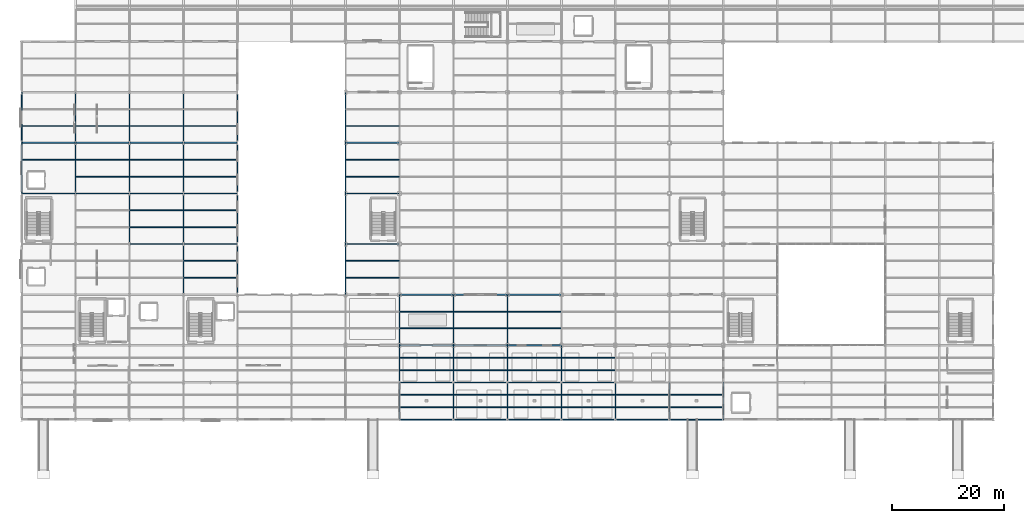
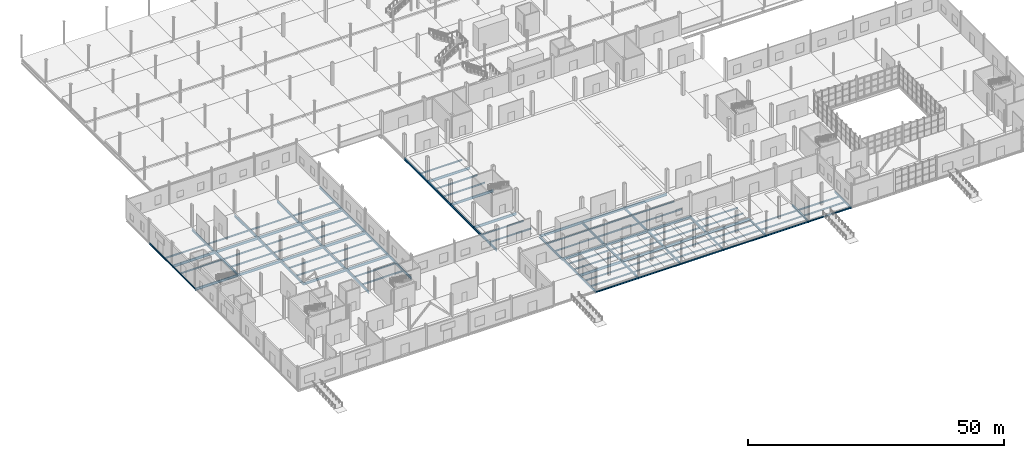
# One storey, part 27 of 85: 110 beams.
"""IFC4 building model written with IfcOpenShell, lengths in metres."""

from ifc_helpers import new_model, si_unit, direction, frame, origin, origin_2d, place, context, subcontext, project, spatial, i_section, extrude, material, material_profile, profile_set, type_object, element, save


model = new_model("IFC4")

# Units and contexts
model_context = context("Model", 3, precision=1e-05, world=origin(), true_north=direction((0.0, 1.0)))
body_context = subcontext(model_context, "Body", "Model", "MODEL_VIEW")
ifc_project = project(units=[si_unit("LENGTHUNIT", "METRE"), si_unit("AREAUNIT", "SQUARE_METRE"), si_unit("VOLUMEUNIT", "CUBIC_METRE"), si_unit("PLANEANGLEUNIT", "RADIAN"), si_unit("MASSUNIT", "GRAM", prefix="KILO")], contexts=[model_context])

# Site, building, storey
site_placement = place(None, origin())
site = spatial("IfcSite", under=ifc_project, at=site_placement, CompositionType="ELEMENT")
building_placement = place(site_placement, origin())
building = spatial("IfcBuilding", under=site, at=building_placement, Name="Zarnetskaya Central Station", CompositionType="ELEMENT")
storey_placement = place(building_placement, origin())
storey = spatial("IfcBuildingStorey", under=building, at=storey_placement, Name="L00", CompositionType="ELEMENT", Elevation=0.0)

# Beams
ifc_material = material(Name="Steel S355", Category="steel")
ifc_material_profile_1 = material_profile(ifc_material, i_section(OverallWidth=0.169921875, OverallDepth=0.360107421875, WebThickness=0.008056640625, FlangeThickness=0.0126953125, FilletRadius=0.01806640625, at=origin_2d()), Name="IPE 360")
ifc_profile_set_1 = profile_set([ifc_material_profile_1], Name="Steel S355")
beam_type_1 = type_object("IfcBeamType", Name="BM-SEC-360", PredefinedType="BEAM", material=ifc_profile_set_1)
for number, where, z_axis, x_axis, name in (
    (1, (0.080078125, 46.199951171875, -0.5), (1.0, 0.0, 0.0), (0.0, 1.0, 0.0), "Secondary floor beam SEC-L00-Z32-AB-67-2"),
    (2, (0.080078125, 52.199951171875, -0.5), (1.0, 0.0, 0.0), (0.0, 1.0, 0.0), "Secondary floor beam SEC-L00-Z32-AB-78-1"),
):
    element("IfcBeam", number, at=place(storey_placement, frame(where, z_axis=z_axis, x_axis=x_axis)), inside=storey, type_object=beam_type_1, Name=name, PredefinedType="BEAM", context=body_context, shape_type="SweptSolid", body=[
        extrude(i_section(OverallWidth=0.169921875, OverallDepth=0.360107421875, WebThickness=0.008056640625, FlangeThickness=0.0126953125, FilletRadius=0.01806640625, at=origin_2d()), origin(), (0.0, 0.0, 1.0), 9.43994140625),
    ])
for number, where, z_axis, x_axis, name in (
    (3, (9.679931640625, 43.199951171875, -0.5), (1.0, 0.0, 0.0), (0.0, 1.0, 0.0), "Secondary floor beam SEC-L00-Z32-BC-67-1"),
    (4, (9.679931640625, 46.199951171875, -0.5), (1.0, 0.0, 0.0), (0.0, 1.0, 0.0), "Secondary floor beam SEC-L00-Z32-BC-67-2"),
    (5, (9.679931640625, 52.199951171875, -0.5), (1.0, 0.0, 0.0), (0.0, 1.0, 0.0), "Secondary floor beam SEC-L00-Z32-BC-78-1"),
):
    element("IfcBeam", number, at=place(storey_placement, frame(where, z_axis=z_axis, x_axis=x_axis)), inside=storey, type_object=beam_type_1, Name=name, PredefinedType="BEAM", context=body_context, shape_type="SweptSolid", body=[
        extrude(i_section(OverallWidth=0.169921875, OverallDepth=0.360107421875, WebThickness=0.008056640625, FlangeThickness=0.0126953125, FilletRadius=0.01806640625, at=origin_2d()), origin(), (0.0, 0.0, 1.0), 9.440185546875),
    ])
for number, where, z_axis, x_axis, name in (
    (6, (19.280029296875, 34.199951171875, -0.5), (1.0, 0.0, 0.0), (0.0, 1.0, 0.0), "Secondary floor beam SEC-L00-Z32-CD-56-1"),
    (7, (19.280029296875, 37.199951171875, -0.5), (1.0, 0.0, 0.0), (0.0, 1.0, 0.0), "Secondary floor beam SEC-L00-Z32-CD-56-2"),
    (8, (19.280029296875, 43.199951171875, -0.5), (1.0, 0.0, 0.0), (0.0, 1.0, 0.0), "Secondary floor beam SEC-L00-Z32-CD-67-1"),
    (9, (19.280029296875, 46.199951171875, -0.5), (1.0, 0.0, 0.0), (0.0, 1.0, 0.0), "Secondary floor beam SEC-L00-Z32-CD-67-2"),
    (10, (19.280029296875, 52.199951171875, -0.5), (1.0, 0.0, 0.0), (0.0, 1.0, 0.0), "Secondary floor beam SEC-L00-Z32-CD-78-1"),
):
    element("IfcBeam", number, at=place(storey_placement, frame(where, z_axis=z_axis, x_axis=x_axis)), inside=storey, type_object=beam_type_1, Name=name, PredefinedType="BEAM", context=body_context, shape_type="SweptSolid", body=[
        extrude(i_section(OverallWidth=0.169921875, OverallDepth=0.360107421875, WebThickness=0.008056640625, FlangeThickness=0.0126953125, FilletRadius=0.01806640625, at=origin_2d()), origin(), (0.0, 0.0, 1.0), 9.43994140625),
    ])
for number, where, z_axis, x_axis, name in (
    (11, (28.8798828125, 25.199951171875, -0.5), (1.0, 0.0, 0.0), (0.0, 1.0, 0.0), "Secondary floor beam SEC-L00-Z32-DE-45-1"),
    (12, (28.8798828125, 28.199951171875, -0.5), (1.0, 0.0, 0.0), (0.0, 1.0, 0.0), "Secondary floor beam SEC-L00-Z32-DE-45-2"),
    (13, (28.8798828125, 34.199951171875, -0.5), (1.0, 0.0, 0.0), (0.0, 1.0, 0.0), "Secondary floor beam SEC-L00-Z32-DE-56-1"),
    (14, (28.8798828125, 37.199951171875, -0.5), (1.0, 0.0, 0.0), (0.0, 1.0, 0.0), "Secondary floor beam SEC-L00-Z32-DE-56-2"),
    (15, (28.8798828125, 43.199951171875, -0.5), (1.0, 0.0, 0.0), (0.0, 1.0, 0.0), "Secondary floor beam SEC-L00-Z32-DE-67-1"),
    (16, (28.8798828125, 46.199951171875, -0.5), (1.0, 0.0, 0.0), (0.0, 1.0, 0.0), "Secondary floor beam SEC-L00-Z32-DE-67-2"),
    (17, (28.8798828125, 52.199951171875, -0.5), (1.0, 0.0, 0.0), (0.0, 1.0, 0.0), "Secondary floor beam SEC-L00-Z32-DE-78-1"),
    (18, (57.679931640625, 25.199951171875, -0.5), (1.0, 0.0, 0.0), (0.0, 1.0, 0.0), "Secondary floor beam SEC-L00-Z32-GH-45-1"),
    (19, (57.679931640625, 28.199951171875, -0.5), (1.0, 0.0, 0.0), (0.0, 1.0, 0.0), "Secondary floor beam SEC-L00-Z32-GH-45-2"),
    (20, (57.679931640625, 43.199951171875, -0.5), (1.0, 0.0, 0.0), (0.0, 1.0, 0.0), "Secondary floor beam SEC-L00-Z32-GH-67-1"),
    (21, (57.679931640625, 46.199951171875, -0.5), (1.0, 0.0, 0.0), (0.0, 1.0, 0.0), "Secondary floor beam SEC-L00-Z32-GH-67-2"),
    (22, (57.679931640625, 52.199951171875, -0.5), (1.0, 0.0, 0.0), (0.0, 1.0, 0.0), "Secondary floor beam SEC-L00-Z32-GH-78-1"),
):
    element("IfcBeam", number, at=place(storey_placement, frame(where, z_axis=z_axis, x_axis=x_axis)), inside=storey, type_object=beam_type_1, Name=name, PredefinedType="BEAM", context=body_context, shape_type="SweptSolid", body=[
        extrude(i_section(OverallWidth=0.169921875, OverallDepth=0.360107421875, WebThickness=0.008056640625, FlangeThickness=0.0126953125, FilletRadius=0.01806640625, at=origin_2d()), origin(), (0.0, 0.0, 1.0), 9.440185546875),
    ])
for number, where, z_axis, x_axis, name in (
    (23, (67.280029296875, 16.199951171875, -0.5), (1.0, 0.0, 0.0), (0.0, 1.0, 0.0), "Secondary floor beam SEC-L00-Z32-HJ-34-1"),
    (24, (67.280029296875, 19.199951171875, -0.5), (1.0, 0.0, 0.0), (0.0, 1.0, 0.0), "Secondary floor beam SEC-L00-Z32-HJ-34-2"),
):
    element("IfcBeam", number, at=place(storey_placement, frame(where, z_axis=z_axis, x_axis=x_axis)), inside=storey, type_object=beam_type_1, Name=name, PredefinedType="BEAM", context=body_context, shape_type="SweptSolid", body=[
        extrude(i_section(OverallWidth=0.169921875, OverallDepth=0.360107421875, WebThickness=0.008056640625, FlangeThickness=0.0126953125, FilletRadius=0.01806640625, at=origin_2d()), origin(), (0.0, 0.0, 1.0), 9.43994140625),
    ])
for number, where, z_axis, x_axis, name in (
    (25, (76.8798828125, 16.199951171875, -0.5), (1.0, 0.0, 0.0), (0.0, 1.0, 0.0), "Secondary floor beam SEC-L00-Z32-JK-34-1"),
    (26, (76.8798828125, 19.199951171875, -0.5), (1.0, 0.0, 0.0), (0.0, 1.0, 0.0), "Secondary floor beam SEC-L00-Z32-JK-34-2"),
):
    element("IfcBeam", number, at=place(storey_placement, frame(where, z_axis=z_axis, x_axis=x_axis)), inside=storey, type_object=beam_type_1, Name=name, PredefinedType="BEAM", context=body_context, shape_type="SweptSolid", body=[
        extrude(i_section(OverallWidth=0.169921875, OverallDepth=0.360107421875, WebThickness=0.008056640625, FlangeThickness=0.0126953125, FilletRadius=0.01806640625, at=origin_2d()), origin(), (0.0, 0.0, 1.0), 9.440185546875),
    ])
for number, where, z_axis, x_axis, name in (
    (27, (86.47998046875, 16.199951171875, -0.5), (1.0, 0.0, 0.0), (0.0, 1.0, 0.0), "Secondary floor beam SEC-L00-Z32-KL-34-1"),
    (28, (86.47998046875, 19.199951171875, -0.5), (1.0, 0.0, 0.0), (0.0, 1.0, 0.0), "Secondary floor beam SEC-L00-Z32-KL-34-2"),
    (29, (67.280029296875, 2.199951171875, -0.39990234375), (1.0, 0.0, 0.0), (0.0, 1.0, 0.0), "Secondary floor beam SEC-L00-Z22-HJ-12-1"),
    (30, (67.280029296875, 4.39990234375, -0.39990234375), (1.0, 0.0, 0.0), (0.0, 1.0, 0.0), "Secondary floor beam SEC-L00-Z22-HJ-12-2"),
    (31, (67.280029296875, 8.800048828125, -0.39990234375), (1.0, 0.0, 0.0), (0.0, 1.0, 0.0), "Secondary floor beam SEC-L00-Z22-HJ-23-1"),
    (32, (67.280029296875, 11.0, -0.39990234375), (1.0, 0.0, 0.0), (0.0, 1.0, 0.0), "Secondary floor beam SEC-L00-Z22-HJ-23-2"),
):
    element("IfcBeam", number, at=place(storey_placement, frame(where, z_axis=z_axis, x_axis=x_axis)), inside=storey, type_object=beam_type_1, Name=name, PredefinedType="BEAM", context=body_context, shape_type="SweptSolid", body=[
        extrude(i_section(OverallWidth=0.169921875, OverallDepth=0.360107421875, WebThickness=0.008056640625, FlangeThickness=0.0126953125, FilletRadius=0.01806640625, at=origin_2d()), origin(), (0.0, 0.0, 1.0), 9.43994140625),
    ])
for number, where, z_axis, x_axis, name in (
    (33, (76.8798828125, 2.199951171875, -0.39990234375), (1.0, 0.0, 0.0), (0.0, 1.0, 0.0), "Secondary floor beam SEC-L00-Z22-JK-12-1"),
    (34, (76.8798828125, 4.39990234375, -0.39990234375), (1.0, 0.0, 0.0), (0.0, 1.0, 0.0), "Secondary floor beam SEC-L00-Z22-JK-12-2"),
    (35, (76.8798828125, 8.800048828125, -0.39990234375), (1.0, 0.0, 0.0), (0.0, 1.0, 0.0), "Secondary floor beam SEC-L00-Z22-JK-23-1"),
    (36, (76.8798828125, 11.0, -0.39990234375), (1.0, 0.0, 0.0), (0.0, 1.0, 0.0), "Secondary floor beam SEC-L00-Z22-JK-23-2"),
):
    element("IfcBeam", number, at=place(storey_placement, frame(where, z_axis=z_axis, x_axis=x_axis)), inside=storey, type_object=beam_type_1, Name=name, PredefinedType="BEAM", context=body_context, shape_type="SweptSolid", body=[
        extrude(i_section(OverallWidth=0.169921875, OverallDepth=0.360107421875, WebThickness=0.008056640625, FlangeThickness=0.0126953125, FilletRadius=0.01806640625, at=origin_2d()), origin(), (0.0, 0.0, 1.0), 9.440185546875),
    ])
for number, where, z_axis, x_axis, name in (
    (37, (86.47998046875, 2.199951171875, -0.39990234375), (1.0, 0.0, 0.0), (0.0, 1.0, 0.0), "Secondary floor beam SEC-L00-Z22-KL-12-1"),
    (38, (86.47998046875, 4.39990234375, -0.39990234375), (1.0, 0.0, 0.0), (0.0, 1.0, 0.0), "Secondary floor beam SEC-L00-Z22-KL-12-2"),
    (39, (86.47998046875, 8.800048828125, -0.39990234375), (1.0, 0.0, 0.0), (0.0, 1.0, 0.0), "Secondary floor beam SEC-L00-Z22-KL-23-1"),
    (40, (86.47998046875, 11.0, -0.39990234375), (1.0, 0.0, 0.0), (0.0, 1.0, 0.0), "Secondary floor beam SEC-L00-Z22-KL-23-2"),
    (41, (96.080078125, 2.199951171875, -0.39990234375), (1.0, 0.0, 0.0), (0.0, 1.0, 0.0), "Secondary floor beam SEC-L00-Z22-LM-12-1"),
    (42, (96.080078125, 4.39990234375, -0.39990234375), (1.0, 0.0, 0.0), (0.0, 1.0, 0.0), "Secondary floor beam SEC-L00-Z22-LM-12-2"),
    (43, (96.080078125, 8.800048828125, -0.39990234375), (1.0, 0.0, 0.0), (0.0, 1.0, 0.0), "Secondary floor beam SEC-L00-Z22-LM-23-1"),
    (44, (96.080078125, 11.0, -0.39990234375), (1.0, 0.0, 0.0), (0.0, 1.0, 0.0), "Secondary floor beam SEC-L00-Z22-LM-23-2"),
):
    element("IfcBeam", number, at=place(storey_placement, frame(where, z_axis=z_axis, x_axis=x_axis)), inside=storey, type_object=beam_type_1, Name=name, PredefinedType="BEAM", context=body_context, shape_type="SweptSolid", body=[
        extrude(i_section(OverallWidth=0.169921875, OverallDepth=0.360107421875, WebThickness=0.008056640625, FlangeThickness=0.0126953125, FilletRadius=0.01806640625, at=origin_2d()), origin(), (0.0, 0.0, 1.0), 9.43994140625),
    ])
for number, where, z_axis, x_axis, name in (
    (45, (105.679931640625, 2.199951171875, -0.39990234375), (1.0, 0.0, 0.0), (0.0, 1.0, 0.0), "Secondary floor beam SEC-L00-Z22-MN-12-1"),
    (46, (105.679931640625, 4.39990234375, -0.39990234375), (1.0, 0.0, 0.0), (0.0, 1.0, 0.0), "Secondary floor beam SEC-L00-Z22-MN-12-2"),
):
    element("IfcBeam", number, at=place(storey_placement, frame(where, z_axis=z_axis, x_axis=x_axis)), inside=storey, type_object=beam_type_1, Name=name, PredefinedType="BEAM", context=body_context, shape_type="SweptSolid", body=[
        extrude(i_section(OverallWidth=0.169921875, OverallDepth=0.360107421875, WebThickness=0.008056640625, FlangeThickness=0.0126953125, FilletRadius=0.01806640625, at=origin_2d()), origin(), (0.0, 0.0, 1.0), 9.440185546875),
    ])
for number, where, z_axis, x_axis, name in (
    (47, (115.280029296875, 2.199951171875, -0.39990234375), (1.0, 0.0, 0.0), (0.0, 1.0, 0.0), "Secondary floor beam SEC-L00-Z22-NP-12-1"),
    (48, (115.280029296875, 4.39990234375, -0.39990234375), (1.0, 0.0, 0.0), (0.0, 1.0, 0.0), "Secondary floor beam SEC-L00-Z22-NP-12-2"),
):
    element("IfcBeam", number, at=place(storey_placement, frame(where, z_axis=z_axis, x_axis=x_axis)), inside=storey, type_object=beam_type_1, Name=name, PredefinedType="BEAM", context=body_context, shape_type="SweptSolid", body=[
        extrude(i_section(OverallWidth=0.169921875, OverallDepth=0.360107421875, WebThickness=0.008056640625, FlangeThickness=0.0126953125, FilletRadius=0.01806640625, at=origin_2d()), origin(), (0.0, 0.0, 1.0), 9.43994140625),
    ])
ifc_material_profile_2 = material_profile(ifc_material, i_section(OverallWidth=0.169921875, OverallDepth=0.360107421875, WebThickness=0.008056640625, FlangeThickness=0.0126953125, FilletRadius=0.01806640625, at=origin_2d()), Name="IPE 360")
ifc_profile_set_2 = profile_set([ifc_material_profile_2], Name="Steel S355")
beam_type_2 = type_object("IfcBeamType", Name="BM-SPN-V4", PredefinedType="SPANDREL", material=ifc_profile_set_2)
beam_1_placement = place(storey_placement, frame((67.199951171875, 0.0, -0.39990234375), z_axis=(1.0, 0.0, 0.0), x_axis=(0.0, 1.0, 0.0)))
element("IfcBeam", 49, at=beam_1_placement, inside=storey, type_object=beam_type_2, Name="Grid girder GX-L00-1-HJ", PredefinedType="SPANDREL", context=body_context, shape_type="SweptSolid", body=[
    extrude(i_section(OverallWidth=0.169921875, OverallDepth=0.360107421875, WebThickness=0.008056640625, FlangeThickness=0.0126953125, FilletRadius=0.01806640625, at=origin_2d()), origin(), (0.0, 0.0, 1.0), 9.60009765625),
])
beam_2_placement = place(storey_placement, frame((76.800048828125, 0.0, -0.39990234375), z_axis=(1.0, 0.0, 0.0), x_axis=(0.0, 1.0, 0.0)))
element("IfcBeam", 50, at=beam_2_placement, inside=storey, type_object=beam_type_2, Name="Grid girder GX-L00-1-JK", PredefinedType="SPANDREL", context=body_context, shape_type="SweptSolid", body=[
    extrude(i_section(OverallWidth=0.169921875, OverallDepth=0.360107421875, WebThickness=0.008056640625, FlangeThickness=0.0126953125, FilletRadius=0.01806640625, at=origin_2d()), origin(), (0.0, 0.0, 1.0), 9.599853515625),
])
for number, where, z_axis, x_axis, name in (
    (51, (86.39990234375, 0.0, -0.39990234375), (1.0, 0.0, 0.0), (0.0, 1.0, 0.0), "Grid girder GX-L00-1-KL"),
    (52, (96.0, 0.0, -0.39990234375), (1.0, 0.0, 0.0), (0.0, 1.0, 0.0), "Grid girder GX-L00-1-LM"),
):
    element("IfcBeam", number, at=place(storey_placement, frame(where, z_axis=z_axis, x_axis=x_axis)), inside=storey, type_object=beam_type_2, Name=name, PredefinedType="SPANDREL", context=body_context, shape_type="SweptSolid", body=[
        extrude(i_section(OverallWidth=0.169921875, OverallDepth=0.360107421875, WebThickness=0.008056640625, FlangeThickness=0.0126953125, FilletRadius=0.01806640625, at=origin_2d()), origin(), (0.0, 0.0, 1.0), 9.60009765625),
    ])
beam_3_placement = place(storey_placement, frame((105.60009765625, 0.0, -0.39990234375), z_axis=(1.0, 0.0, 0.0), x_axis=(0.0, 1.0, 0.0)))
element("IfcBeam", 53, at=beam_3_placement, inside=storey, type_object=beam_type_2, Name="Grid girder GX-L00-1-MN", PredefinedType="SPANDREL", context=body_context, shape_type="SweptSolid", body=[
    extrude(i_section(OverallWidth=0.169921875, OverallDepth=0.360107421875, WebThickness=0.008056640625, FlangeThickness=0.0126953125, FilletRadius=0.01806640625, at=origin_2d()), origin(), (0.0, 0.0, 1.0), 9.599853515625),
])
beam_4_placement = place(storey_placement, frame((115.199951171875, 0.0, -0.39990234375), z_axis=(1.0, 0.0, 0.0), x_axis=(0.0, 1.0, 0.0)))
element("IfcBeam", 54, at=beam_4_placement, inside=storey, type_object=beam_type_2, Name="Grid girder GX-L00-1-NP", PredefinedType="SPANDREL", context=body_context, shape_type="SweptSolid", body=[
    extrude(i_section(OverallWidth=0.169921875, OverallDepth=0.360107421875, WebThickness=0.008056640625, FlangeThickness=0.0126953125, FilletRadius=0.01806640625, at=origin_2d()), origin(), (0.0, 0.0, 1.0), 9.60009765625),
])
ifc_material_profile_3 = material_profile(ifc_material, i_section(OverallWidth=0.179931640625, OverallDepth=0.39990234375, WebThickness=0.008544921875, FlangeThickness=0.013427734375, FilletRadius=0.02099609375, at=origin_2d()), Name="IPE 400")
ifc_profile_set_3 = profile_set([ifc_material_profile_3], Name="Steel S355")
beam_type_3 = type_object("IfcBeamType", Name="BM-SPN-V5", PredefinedType="SPANDREL", material=ifc_profile_set_3)
for number, where, z_axis, x_axis, name in (
    (55, (0.0, 40.199951171875, -0.52001953125), (0.0, 1.0, 0.0), (-1.0, 0.0, 0.0), "Grid girder GY-L00-A-67"),
    (56, (0.0, 49.199951171875, -0.52001953125), (0.0, 1.0, 0.0), (-1.0, 0.0, 0.0), "Grid girder GY-L00-A-78"),
):
    element("IfcBeam", number, at=place(storey_placement, frame(where, z_axis=z_axis, x_axis=x_axis)), inside=storey, type_object=beam_type_3, Name=name, PredefinedType="SPANDREL", context=body_context, shape_type="SweptSolid", body=[
        extrude(i_section(OverallWidth=0.179931640625, OverallDepth=0.39990234375, WebThickness=0.008544921875, FlangeThickness=0.013427734375, FilletRadius=0.02099609375, at=origin_2d()), origin(), (0.0, 0.0, 1.0), 9.0),
    ])
ifc_material_profile_4 = material_profile(ifc_material, i_section(OverallWidth=0.199951171875, OverallDepth=0.5, WebThickness=0.01025390625, FlangeThickness=0.01611328125, FilletRadius=0.02099609375, at=origin_2d()), Name="IPE 500")
ifc_profile_set_4 = profile_set([ifc_material_profile_4], Name="Steel S355")
beam_type_4 = type_object("IfcBeamType", Name="GD-FLR-500", PredefinedType="USERDEFINED", material=ifc_profile_set_4)
beam_5_placement = place(storey_placement, frame((67.199951171875, 0.0, -0.469970703125), z_axis=(0.0, 1.0, 0.0), x_axis=(-1.0, 0.0, 0.0)))
element("IfcBeam", 57, at=beam_5_placement, inside=storey, type_object=beam_type_4, Name="Grid girder GY-L00-H-12", ObjectType="GIRDER", PredefinedType="USERDEFINED", context=body_context, shape_type="SweptSolid", body=[
    extrude(i_section(OverallWidth=0.199951171875, OverallDepth=0.5, WebThickness=0.01025390625, FlangeThickness=0.01611328125, FilletRadius=0.02099609375, at=origin_2d()), origin(), (0.0, 0.0, 1.0), 6.60009765625),
])
beam_6_placement = place(storey_placement, frame((67.199951171875, 6.60009765625, -0.469970703125), z_axis=(0.0, 1.0, 0.0), x_axis=(-1.0, 0.0, 0.0)))
element("IfcBeam", 58, at=beam_6_placement, inside=storey, type_object=beam_type_4, Name="Grid girder GY-L00-H-23", ObjectType="GIRDER", PredefinedType="USERDEFINED", context=body_context, shape_type="SweptSolid", body=[
    extrude(i_section(OverallWidth=0.199951171875, OverallDepth=0.5, WebThickness=0.01025390625, FlangeThickness=0.01611328125, FilletRadius=0.02099609375, at=origin_2d()), origin(), (0.0, 0.0, 1.0), 6.599853515625),
])
beam_7_placement = place(storey_placement, frame((76.800048828125, 0.0, -0.469970703125), z_axis=(0.0, 1.0, 0.0), x_axis=(-1.0, 0.0, 0.0)))
element("IfcBeam", 59, at=beam_7_placement, inside=storey, type_object=beam_type_4, Name="Grid girder GY-L00-J-12", ObjectType="GIRDER", PredefinedType="USERDEFINED", context=body_context, shape_type="SweptSolid", body=[
    extrude(i_section(OverallWidth=0.199951171875, OverallDepth=0.5, WebThickness=0.01025390625, FlangeThickness=0.01611328125, FilletRadius=0.02099609375, at=origin_2d()), origin(), (0.0, 0.0, 1.0), 6.60009765625),
])
beam_8_placement = place(storey_placement, frame((76.800048828125, 6.60009765625, -0.469970703125), z_axis=(0.0, 1.0, 0.0), x_axis=(-1.0, 0.0, 0.0)))
element("IfcBeam", 60, at=beam_8_placement, inside=storey, type_object=beam_type_4, Name="Grid girder GY-L00-J-23", ObjectType="GIRDER", PredefinedType="USERDEFINED", context=body_context, shape_type="SweptSolid", body=[
    extrude(i_section(OverallWidth=0.199951171875, OverallDepth=0.5, WebThickness=0.01025390625, FlangeThickness=0.01611328125, FilletRadius=0.02099609375, at=origin_2d()), origin(), (0.0, 0.0, 1.0), 6.599853515625),
])
beam_9_placement = place(storey_placement, frame((86.39990234375, 0.0, -0.469970703125), z_axis=(0.0, 1.0, 0.0), x_axis=(-1.0, 0.0, 0.0)))
element("IfcBeam", 61, at=beam_9_placement, inside=storey, type_object=beam_type_4, Name="Grid girder GY-L00-K-12", ObjectType="GIRDER", PredefinedType="USERDEFINED", context=body_context, shape_type="SweptSolid", body=[
    extrude(i_section(OverallWidth=0.199951171875, OverallDepth=0.5, WebThickness=0.01025390625, FlangeThickness=0.01611328125, FilletRadius=0.02099609375, at=origin_2d()), origin(), (0.0, 0.0, 1.0), 6.60009765625),
])
beam_10_placement = place(storey_placement, frame((86.39990234375, 6.60009765625, -0.469970703125), z_axis=(0.0, 1.0, 0.0), x_axis=(-1.0, 0.0, 0.0)))
element("IfcBeam", 62, at=beam_10_placement, inside=storey, type_object=beam_type_4, Name="Grid girder GY-L00-K-23", ObjectType="GIRDER", PredefinedType="USERDEFINED", context=body_context, shape_type="SweptSolid", body=[
    extrude(i_section(OverallWidth=0.199951171875, OverallDepth=0.5, WebThickness=0.01025390625, FlangeThickness=0.01611328125, FilletRadius=0.02099609375, at=origin_2d()), origin(), (0.0, 0.0, 1.0), 6.599853515625),
])
beam_11_placement = place(storey_placement, frame((96.0, 0.0, -0.469970703125), z_axis=(0.0, 1.0, 0.0), x_axis=(-1.0, 0.0, 0.0)))
element("IfcBeam", 63, at=beam_11_placement, inside=storey, type_object=beam_type_4, Name="Grid girder GY-L00-L-12", ObjectType="GIRDER", PredefinedType="USERDEFINED", context=body_context, shape_type="SweptSolid", body=[
    extrude(i_section(OverallWidth=0.199951171875, OverallDepth=0.5, WebThickness=0.01025390625, FlangeThickness=0.01611328125, FilletRadius=0.02099609375, at=origin_2d()), origin(), (0.0, 0.0, 1.0), 6.60009765625),
])
beam_12_placement = place(storey_placement, frame((96.0, 6.60009765625, -0.469970703125), z_axis=(0.0, 1.0, 0.0), x_axis=(-1.0, 0.0, 0.0)))
element("IfcBeam", 64, at=beam_12_placement, inside=storey, type_object=beam_type_4, Name="Grid girder GY-L00-L-23", ObjectType="GIRDER", PredefinedType="USERDEFINED", context=body_context, shape_type="SweptSolid", body=[
    extrude(i_section(OverallWidth=0.199951171875, OverallDepth=0.5, WebThickness=0.01025390625, FlangeThickness=0.01611328125, FilletRadius=0.02099609375, at=origin_2d()), origin(), (0.0, 0.0, 1.0), 6.599853515625),
])
for number, where, z_axis, x_axis, name in (
    (65, (105.60009765625, 0.0, -0.469970703125), (0.0, 1.0, 0.0), (-1.0, 0.0, 0.0), "Grid girder GY-L00-M-12"),
    (66, (115.199951171875, 0.0, -0.469970703125), (0.0, 1.0, 0.0), (-1.0, 0.0, 0.0), "Grid girder GY-L00-N-12"),
    (67, (124.800048828125, 0.0, -0.570068359375), (0.0, 1.0, 0.0), (-1.0, 0.0, 0.0), "Grid girder GY-L00-P-12"),
):
    element("IfcBeam", number, at=place(storey_placement, frame(where, z_axis=z_axis, x_axis=x_axis)), inside=storey, type_object=beam_type_4, Name=name, ObjectType="GIRDER", PredefinedType="USERDEFINED", context=body_context, shape_type="SweptSolid", body=[
        extrude(i_section(OverallWidth=0.199951171875, OverallDepth=0.5, WebThickness=0.01025390625, FlangeThickness=0.01611328125, FilletRadius=0.02099609375, at=origin_2d()), origin(), (0.0, 0.0, 1.0), 6.60009765625),
    ])
ifc_material_profile_5 = material_profile(ifc_material, i_section(OverallWidth=0.2099609375, OverallDepth=0.550048828125, WebThickness=0.010986328125, FlangeThickness=0.01708984375, FilletRadius=0.02392578125, at=origin_2d()), Name="IPE 550")
ifc_profile_set_5 = profile_set([ifc_material_profile_5], Name="Steel S355")
beam_type_5 = type_object("IfcBeamType", Name="GD-FLR-550", PredefinedType="USERDEFINED", material=ifc_profile_set_5)
for number, where, z_axis, x_axis, name in (
    (68, (9.60009765625, 40.199951171875, -0.594970703125), (0.0, 1.0, 0.0), (-1.0, 0.0, 0.0), "Grid girder GY-L00-B-67"),
    (69, (9.60009765625, 49.199951171875, -0.594970703125), (0.0, 1.0, 0.0), (-1.0, 0.0, 0.0), "Grid girder GY-L00-B-78"),
    (70, (19.199951171875, 31.199951171875, -0.594970703125), (0.0, 1.0, 0.0), (-1.0, 0.0, 0.0), "Grid girder GY-L00-C-56"),
    (71, (19.199951171875, 40.199951171875, -0.594970703125), (0.0, 1.0, 0.0), (-1.0, 0.0, 0.0), "Grid girder GY-L00-C-67"),
    (72, (19.199951171875, 49.199951171875, -0.594970703125), (0.0, 1.0, 0.0), (-1.0, 0.0, 0.0), "Grid girder GY-L00-C-78"),
    (73, (28.800048828125, 22.199951171875, -0.594970703125), (0.0, 1.0, 0.0), (-1.0, 0.0, 0.0), "Grid girder GY-L00-D-45"),
    (74, (28.800048828125, 31.199951171875, -0.594970703125), (0.0, 1.0, 0.0), (-1.0, 0.0, 0.0), "Grid girder GY-L00-D-56"),
    (75, (28.800048828125, 40.199951171875, -0.594970703125), (0.0, 1.0, 0.0), (-1.0, 0.0, 0.0), "Grid girder GY-L00-D-67"),
    (76, (28.800048828125, 49.199951171875, -0.594970703125), (0.0, 1.0, 0.0), (-1.0, 0.0, 0.0), "Grid girder GY-L00-D-78"),
    (77, (38.39990234375, 22.199951171875, -0.594970703125), (0.0, 1.0, 0.0), (-1.0, 0.0, 0.0), "Grid girder GY-L00-E-45"),
    (78, (38.39990234375, 31.199951171875, -0.594970703125), (0.0, 1.0, 0.0), (-1.0, 0.0, 0.0), "Grid girder GY-L00-E-56"),
    (79, (38.39990234375, 40.199951171875, -0.594970703125), (0.0, 1.0, 0.0), (-1.0, 0.0, 0.0), "Grid girder GY-L00-E-67"),
    (80, (38.39990234375, 49.199951171875, -0.594970703125), (0.0, 1.0, 0.0), (-1.0, 0.0, 0.0), "Grid girder GY-L00-E-78"),
    (81, (57.60009765625, 22.199951171875, -0.594970703125), (0.0, 1.0, 0.0), (-1.0, 0.0, 0.0), "Grid girder GY-L00-G-45"),
    (82, (57.60009765625, 31.199951171875, -0.594970703125), (0.0, 1.0, 0.0), (-1.0, 0.0, 0.0), "Grid girder GY-L00-G-56"),
    (83, (57.60009765625, 40.199951171875, -0.594970703125), (0.0, 1.0, 0.0), (-1.0, 0.0, 0.0), "Grid girder GY-L00-G-67"),
    (84, (57.60009765625, 49.199951171875, -0.594970703125), (0.0, 1.0, 0.0), (-1.0, 0.0, 0.0), "Grid girder GY-L00-G-78"),
    (85, (67.199951171875, 13.199951171875, -0.594970703125), (0.0, 1.0, 0.0), (-1.0, 0.0, 0.0), "Grid girder GY-L00-H-34"),
    (86, (76.800048828125, 13.199951171875, -0.594970703125), (0.0, 1.0, 0.0), (-1.0, 0.0, 0.0), "Grid girder GY-L00-J-34"),
    (87, (86.39990234375, 13.199951171875, -0.594970703125), (0.0, 1.0, 0.0), (-1.0, 0.0, 0.0), "Grid girder GY-L00-K-34"),
):
    element("IfcBeam", number, at=place(storey_placement, frame(where, z_axis=z_axis, x_axis=x_axis)), inside=storey, type_object=beam_type_5, Name=name, ObjectType="GIRDER", PredefinedType="USERDEFINED", context=body_context, shape_type="SweptSolid", body=[
        extrude(i_section(OverallWidth=0.2099609375, OverallDepth=0.550048828125, WebThickness=0.010986328125, FlangeThickness=0.01708984375, FilletRadius=0.02392578125, at=origin_2d()), origin(), (0.0, 0.0, 1.0), 9.0),
    ])
ifc_material_profile_6 = material_profile(ifc_material, i_section(OverallWidth=0.219970703125, OverallDepth=0.60009765625, WebThickness=0.011962890625, FlangeThickness=0.01904296875, FilletRadius=0.02392578125, at=origin_2d()), Name="IPE 600")
ifc_profile_set_6 = profile_set([ifc_material_profile_6], Name="Steel S355")
beam_type_6 = type_object("IfcBeamType", Name="GD-FLR-600", PredefinedType="USERDEFINED", material=ifc_profile_set_6)
for number, where, z_axis, x_axis, name in (
    (88, (0.0, 40.199951171875, -0.6201171875), (1.0, 0.0, 0.0), (0.0, 1.0, 0.0), "Grid girder GX-L00-6-AB"),
    (89, (0.0, 49.199951171875, -0.6201171875), (1.0, 0.0, 0.0), (0.0, 1.0, 0.0), "Grid girder GX-L00-7-AB"),
):
    element("IfcBeam", number, at=place(storey_placement, frame(where, z_axis=z_axis, x_axis=x_axis)), inside=storey, type_object=beam_type_6, Name=name, ObjectType="GIRDER", PredefinedType="USERDEFINED", context=body_context, shape_type="SweptSolid", body=[
        extrude(i_section(OverallWidth=0.219970703125, OverallDepth=0.60009765625, WebThickness=0.011962890625, FlangeThickness=0.01904296875, FilletRadius=0.02392578125, at=origin_2d()), origin(), (0.0, 0.0, 1.0), 9.60009765625),
    ])
for number, where, z_axis, x_axis, name in (
    (90, (9.60009765625, 40.199951171875, -0.6201171875), (1.0, 0.0, 0.0), (0.0, 1.0, 0.0), "Grid girder GX-L00-6-BC"),
    (91, (9.60009765625, 49.199951171875, -0.6201171875), (1.0, 0.0, 0.0), (0.0, 1.0, 0.0), "Grid girder GX-L00-7-BC"),
):
    element("IfcBeam", number, at=place(storey_placement, frame(where, z_axis=z_axis, x_axis=x_axis)), inside=storey, type_object=beam_type_6, Name=name, ObjectType="GIRDER", PredefinedType="USERDEFINED", context=body_context, shape_type="SweptSolid", body=[
        extrude(i_section(OverallWidth=0.219970703125, OverallDepth=0.60009765625, WebThickness=0.011962890625, FlangeThickness=0.01904296875, FilletRadius=0.02392578125, at=origin_2d()), origin(), (0.0, 0.0, 1.0), 9.599853515625),
    ])
for number, where, z_axis, x_axis, name in (
    (92, (19.199951171875, 31.199951171875, -0.6201171875), (1.0, 0.0, 0.0), (0.0, 1.0, 0.0), "Grid girder GX-L00-5-CD"),
    (93, (19.199951171875, 40.199951171875, -0.6201171875), (1.0, 0.0, 0.0), (0.0, 1.0, 0.0), "Grid girder GX-L00-6-CD"),
    (94, (19.199951171875, 49.199951171875, -0.6201171875), (1.0, 0.0, 0.0), (0.0, 1.0, 0.0), "Grid girder GX-L00-7-CD"),
):
    element("IfcBeam", number, at=place(storey_placement, frame(where, z_axis=z_axis, x_axis=x_axis)), inside=storey, type_object=beam_type_6, Name=name, ObjectType="GIRDER", PredefinedType="USERDEFINED", context=body_context, shape_type="SweptSolid", body=[
        extrude(i_section(OverallWidth=0.219970703125, OverallDepth=0.60009765625, WebThickness=0.011962890625, FlangeThickness=0.01904296875, FilletRadius=0.02392578125, at=origin_2d()), origin(), (0.0, 0.0, 1.0), 9.60009765625),
    ])
for number, where, z_axis, x_axis, name in (
    (95, (28.800048828125, 31.199951171875, -0.6201171875), (1.0, 0.0, 0.0), (0.0, 1.0, 0.0), "Grid girder GX-L00-5-DE"),
    (96, (28.800048828125, 40.199951171875, -0.6201171875), (1.0, 0.0, 0.0), (0.0, 1.0, 0.0), "Grid girder GX-L00-6-DE"),
    (97, (28.800048828125, 49.199951171875, -0.6201171875), (1.0, 0.0, 0.0), (0.0, 1.0, 0.0), "Grid girder GX-L00-7-DE"),
    (98, (57.60009765625, 31.199951171875, -0.6201171875), (1.0, 0.0, 0.0), (0.0, 1.0, 0.0), "Grid girder GX-L00-5-GH"),
    (99, (57.60009765625, 40.199951171875, -0.6201171875), (1.0, 0.0, 0.0), (0.0, 1.0, 0.0), "Grid girder GX-L00-6-GH"),
    (100, (57.60009765625, 49.199951171875, -0.6201171875), (1.0, 0.0, 0.0), (0.0, 1.0, 0.0), "Grid girder GX-L00-7-GH"),
):
    element("IfcBeam", number, at=place(storey_placement, frame(where, z_axis=z_axis, x_axis=x_axis)), inside=storey, type_object=beam_type_6, Name=name, ObjectType="GIRDER", PredefinedType="USERDEFINED", context=body_context, shape_type="SweptSolid", body=[
        extrude(i_section(OverallWidth=0.219970703125, OverallDepth=0.60009765625, WebThickness=0.011962890625, FlangeThickness=0.01904296875, FilletRadius=0.02392578125, at=origin_2d()), origin(), (0.0, 0.0, 1.0), 9.599853515625),
    ])
for number, where, z_axis, x_axis, name in (
    (101, (67.199951171875, 6.60009765625, -0.52001953125), (1.0, 0.0, 0.0), (0.0, 1.0, 0.0), "Grid girder GX-L00-2-HJ"),
    (102, (67.199951171875, 13.199951171875, -0.6201171875), (1.0, 0.0, 0.0), (0.0, 1.0, 0.0), "Grid girder GX-L00-3-HJ"),
    (103, (67.199951171875, 22.199951171875, -0.6201171875), (1.0, 0.0, 0.0), (0.0, 1.0, 0.0), "Grid girder GX-L00-4-HJ"),
):
    element("IfcBeam", number, at=place(storey_placement, frame(where, z_axis=z_axis, x_axis=x_axis)), inside=storey, type_object=beam_type_6, Name=name, ObjectType="GIRDER", PredefinedType="USERDEFINED", context=body_context, shape_type="SweptSolid", body=[
        extrude(i_section(OverallWidth=0.219970703125, OverallDepth=0.60009765625, WebThickness=0.011962890625, FlangeThickness=0.01904296875, FilletRadius=0.02392578125, at=origin_2d()), origin(), (0.0, 0.0, 1.0), 9.60009765625),
    ])
for number, where, z_axis, x_axis, name in (
    (104, (76.800048828125, 6.60009765625, -0.52001953125), (1.0, 0.0, 0.0), (0.0, 1.0, 0.0), "Grid girder GX-L00-2-JK"),
    (105, (76.800048828125, 13.199951171875, -0.6201171875), (1.0, 0.0, 0.0), (0.0, 1.0, 0.0), "Grid girder GX-L00-3-JK"),
    (106, (76.800048828125, 22.199951171875, -0.6201171875), (1.0, 0.0, 0.0), (0.0, 1.0, 0.0), "Grid girder GX-L00-4-JK"),
):
    element("IfcBeam", number, at=place(storey_placement, frame(where, z_axis=z_axis, x_axis=x_axis)), inside=storey, type_object=beam_type_6, Name=name, ObjectType="GIRDER", PredefinedType="USERDEFINED", context=body_context, shape_type="SweptSolid", body=[
        extrude(i_section(OverallWidth=0.219970703125, OverallDepth=0.60009765625, WebThickness=0.011962890625, FlangeThickness=0.01904296875, FilletRadius=0.02392578125, at=origin_2d()), origin(), (0.0, 0.0, 1.0), 9.599853515625),
    ])
for number, where, z_axis, x_axis, name in (
    (107, (86.39990234375, 6.60009765625, -0.52001953125), (1.0, 0.0, 0.0), (0.0, 1.0, 0.0), "Grid girder GX-L00-2-KL"),
    (108, (86.39990234375, 13.199951171875, -0.6201171875), (1.0, 0.0, 0.0), (0.0, 1.0, 0.0), "Grid girder GX-L00-3-KL"),
    (109, (86.39990234375, 22.199951171875, -0.6201171875), (1.0, 0.0, 0.0), (0.0, 1.0, 0.0), "Grid girder GX-L00-4-KL"),
    (110, (96.0, 6.60009765625, -0.52001953125), (1.0, 0.0, 0.0), (0.0, 1.0, 0.0), "Grid girder GX-L00-2-LM"),
):
    element("IfcBeam", number, at=place(storey_placement, frame(where, z_axis=z_axis, x_axis=x_axis)), inside=storey, type_object=beam_type_6, Name=name, ObjectType="GIRDER", PredefinedType="USERDEFINED", context=body_context, shape_type="SweptSolid", body=[
        extrude(i_section(OverallWidth=0.219970703125, OverallDepth=0.60009765625, WebThickness=0.011962890625, FlangeThickness=0.01904296875, FilletRadius=0.02392578125, at=origin_2d()), origin(), (0.0, 0.0, 1.0), 9.60009765625),
    ])

save(model, "model.ifc")
